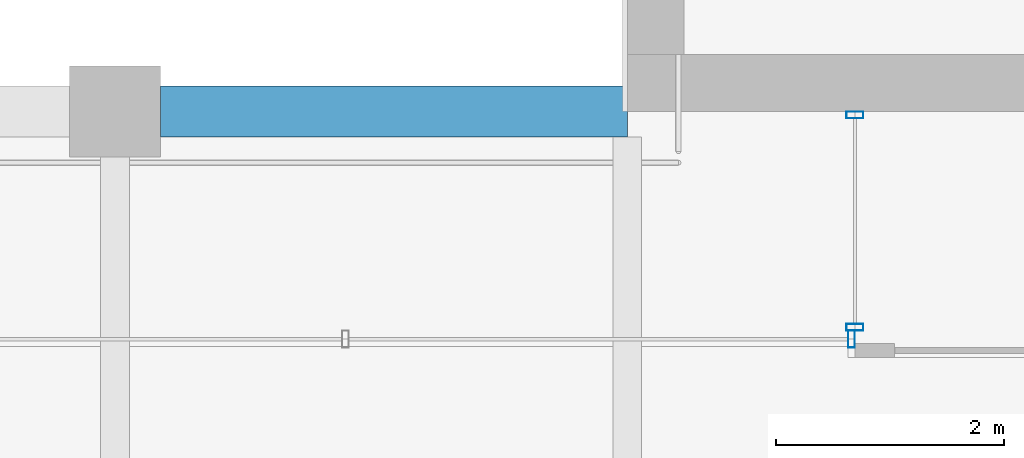
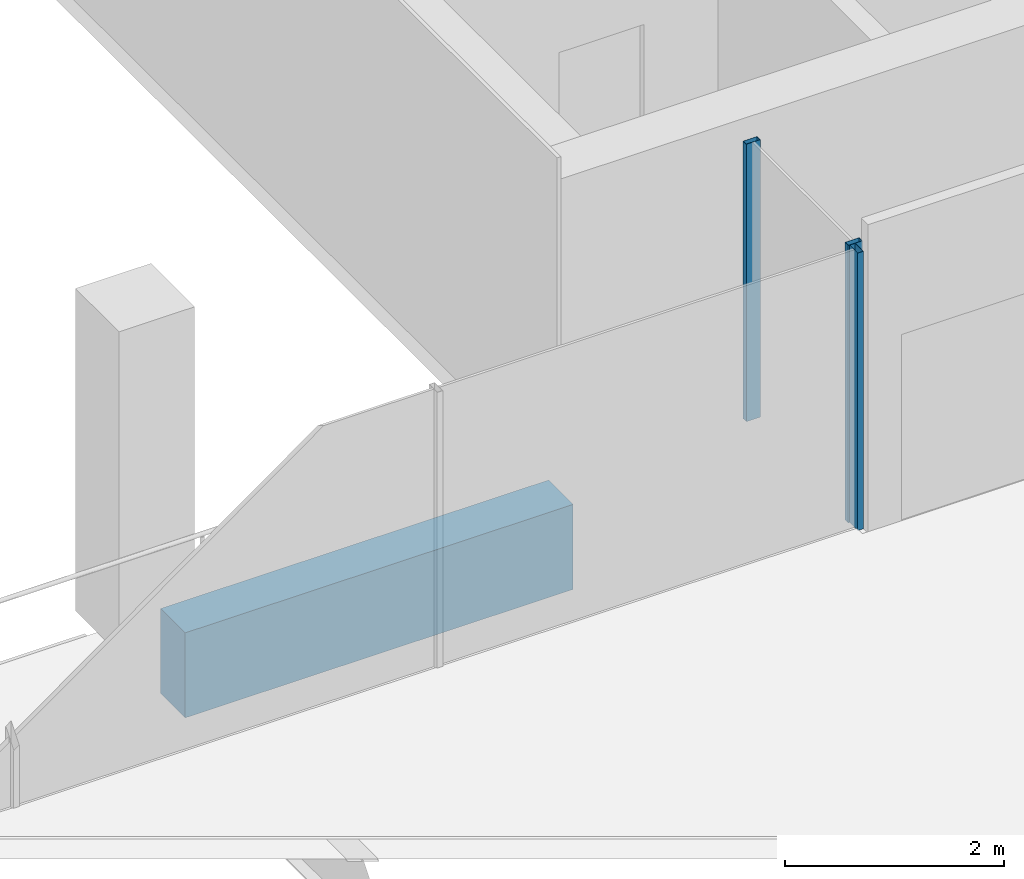
# One storey, part 6 of 30: 3 members, 1 beam, 2 elements without a shape of their own.
"""IFC4 building model written with IfcOpenShell, lengths in metres."""

from ifc_helpers import new_model, si_unit, direction, frame, origin, origin_2d, place, context, subcontext, project, spatial, rectangle, hollow_rectangle, extrude, material, material_profile, profile_set, type_object, element, aggregate, save


model = new_model("IFC4")

# Units and contexts
model_context = context("Model", 3, precision=1e-05, world=origin(), true_north=direction((0.0, 1.0)))
body_context = subcontext(model_context, "Body", "Model", "MODEL_VIEW")
ifc_project = project(units=[si_unit("LENGTHUNIT", "METRE"), si_unit("AREAUNIT", "SQUARE_METRE"), si_unit("VOLUMEUNIT", "CUBIC_METRE"), si_unit("PLANEANGLEUNIT", "RADIAN"), si_unit("MASSUNIT", "GRAM", prefix="KILO")], contexts=[model_context])

# Site, building, storey
site_placement = place(None, origin())
site = spatial("IfcSite", under=ifc_project, at=site_placement, CompositionType="ELEMENT")
building_placement = place(site_placement, origin())
building = spatial("IfcBuilding", under=site, at=building_placement, Name="Altepetl Exchange Towers", CompositionType="ELEMENT")
storey_placement = place(building_placement, frame((0.0, 0.0, 217.199951171875)))
storey = spatial("IfcBuildingStorey", under=building, at=storey_placement, Name="L55", CompositionType="ELEMENT", Elevation=217.199951171875)

# Curtain wall, members
ifc_material_1 = material(Name="Aluminium 6063-T6 glazing", Category="aluminium")
curtain_wall_type = type_object("IfcCurtainWallType", Name="Loggia glazing system", PredefinedType="NOTDEFINED", material=ifc_material_1)
curtain_wall_1_placement = place(storey_placement, origin())
curtain_wall_1 = element("IfcCurtainWall", 1, at=curtain_wall_1_placement, inside=storey, type_object=curtain_wall_type, Name="CW1 run", PredefinedType="NOTDEFINED")
ifc_material_2 = material(Name="Aluminium 6063-T6", Category="aluminium")
ifc_material_profile_1 = material_profile(ifc_material_2, hollow_rectangle(XDim=0.06005859375, YDim=0.14990234375, WallThickness=0.0029296875, at=origin_2d()), Name="Mullion 60x150 aluminium")
ifc_profile_set_1 = profile_set([ifc_material_profile_1], Name="Aluminium 6063-T6")
member_type = type_object("IfcMemberType", Name="Mullion 60x150 aluminium", PredefinedType="MULLION", material=ifc_profile_set_1)
member_1_placement = place(storey_placement, frame((42.5, 40.469970703125, 0.0), z_axis=(0.0, 0.0, 1.0), x_axis=(0.0, -1.0, 0.0)))
member_1 = element("IfcMember", 2, at=member_1_placement, type_object=member_type, Name="MU1 mullion", PredefinedType="MULLION", context=body_context, shape_type="SweptSolid", body=[
    extrude(hollow_rectangle(XDim=0.06005859375, YDim=0.14990234375, WallThickness=0.0029296875, at=origin_2d()), origin(), (0.0, 0.0, 1.0), 3.10009765625),
])
member_2_placement = place(storey_placement, frame((42.5, 38.60498046875, 0.0), z_axis=(0.0, 0.0, 1.0), x_axis=(0.0, -1.0, 0.0)))
member_2 = element("IfcMember", 3, at=member_2_placement, type_object=member_type, Name="MU1 mullion", PredefinedType="MULLION", context=body_context, shape_type="SweptSolid", body=[
    extrude(hollow_rectangle(XDim=0.06005859375, YDim=0.14990234375, WallThickness=0.0029296875, at=origin_2d()), origin(), (0.0, 0.0, 1.0), 3.10009765625),
])
aggregate(curtain_wall_1, [member_1, member_2])

# Curtain wall, member
curtain_wall_2_placement = place(storey_placement, origin())
curtain_wall_2 = element("IfcCurtainWall", 4, at=curtain_wall_2_placement, inside=storey, type_object=curtain_wall_type, Name="CW1 run", PredefinedType="NOTDEFINED")
member_3_placement = place(storey_placement, frame((42.469970703125, 38.5, 0.0), z_axis=(0.0, 0.0, 1.0), x_axis=(-1.0, 0.0, 0.0)))
member_3 = element("IfcMember", 5, at=member_3_placement, type_object=member_type, Name="MU1 mullion", PredefinedType="MULLION", context=body_context, shape_type="SweptSolid", body=[
    extrude(hollow_rectangle(XDim=0.06005859375, YDim=0.14990234375, WallThickness=0.0029296875, at=origin_2d()), origin(), (0.0, 0.0, 1.0), 3.10009765625),
])
aggregate(curtain_wall_2, [member_3])

# Beam
ifc_material_3 = material(Name="Concrete C50/60 precast with tezontle facing", Category="concrete")
ifc_material_profile_2 = material_profile(ifc_material_3, rectangle(XDim=0.449951171875, YDim=0.949951171875, at=origin_2d()), Name="450 x 950")
ifc_profile_set_2 = profile_set([ifc_material_profile_2], Name="Concrete C50/60 precast with tezontle facing")
beam_type = type_object("IfcBeamType", Name="Spandrel beam 450x950 tezontle", PredefinedType="SPANDREL", material=ifc_profile_set_2)
beam_placement = place(storey_placement, frame((40.5, 40.5, -0.625), z_axis=(-1.0, 0.0, 0.0), x_axis=(0.0, -1.0, 0.0)))
element("IfcBeam", 6, at=beam_placement, inside=storey, type_object=beam_type, Name="sp:A:L55:033", PredefinedType="SPANDREL", context=body_context, shape_type="SweptSolid", body=[
    extrude(rectangle(XDim=0.449951171875, YDim=0.949951171875, at=origin_2d()), origin(), (0.0, 0.0, 1.0), 4.10009765625),
])

save(model, "model.ifc")
